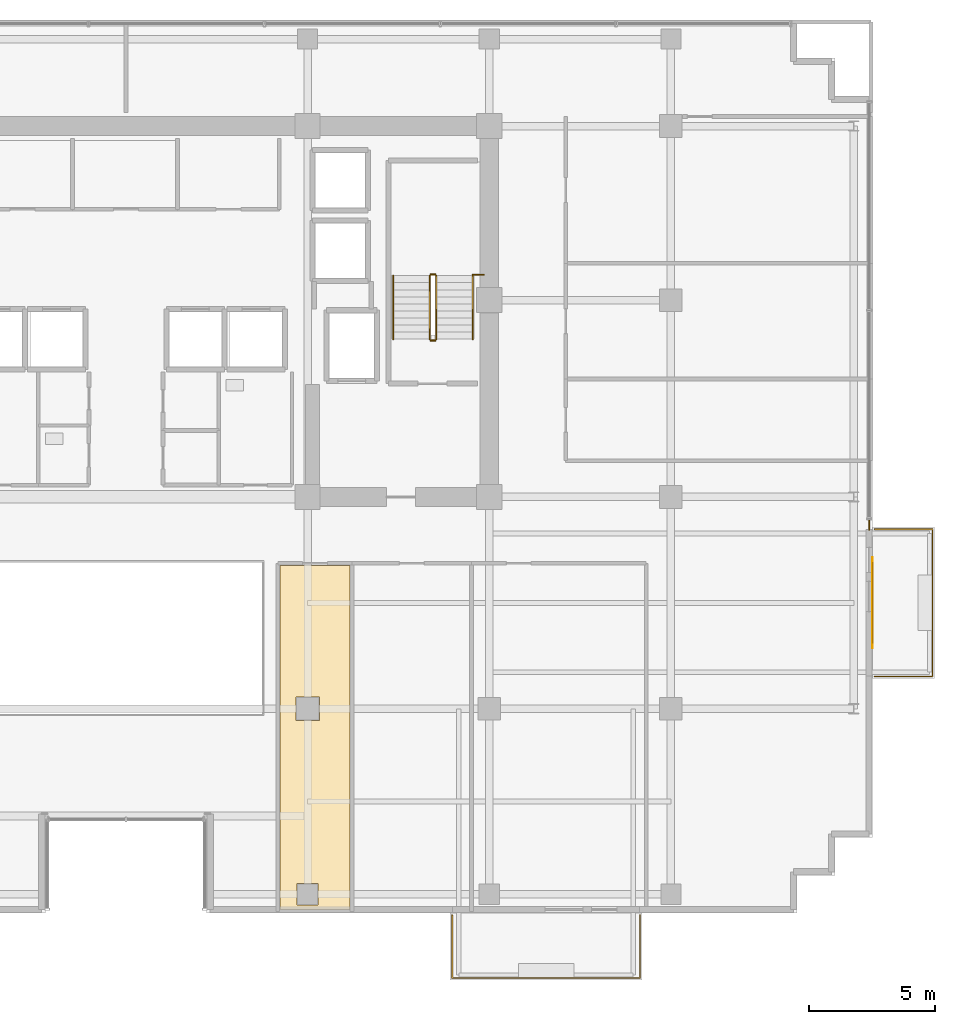
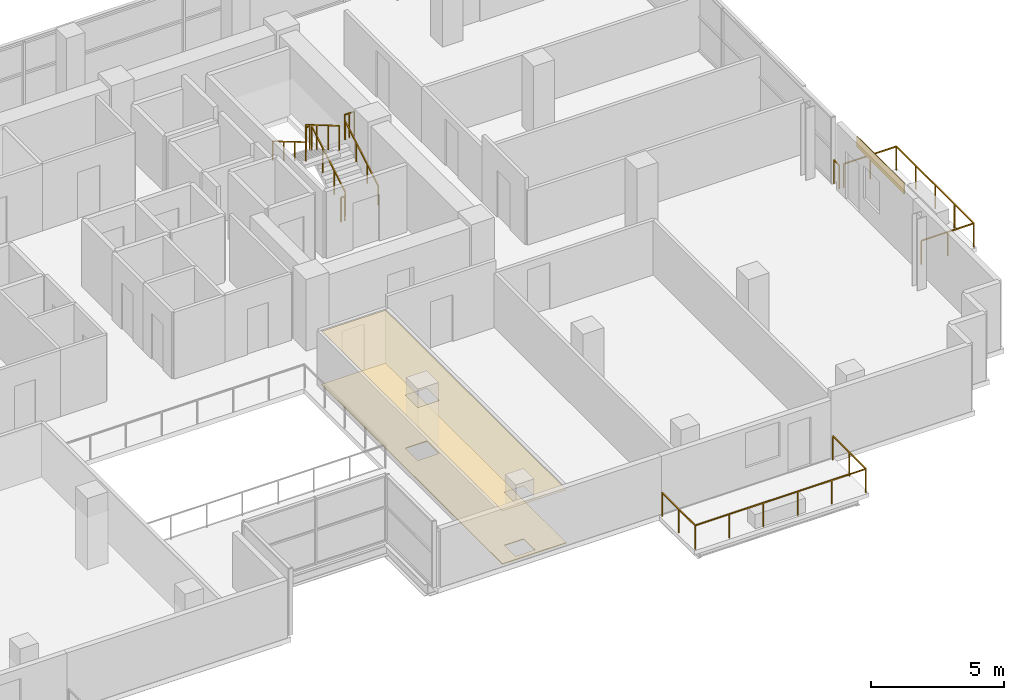
# One storey, part 23 of 24: 10 railings, 3 coverings, 1 shading device.
"""IFC4 building model written with IfcOpenShell, lengths in metres."""

from ifc_helpers import new_model, si_unit, direction, frame, origin, origin_2d, place, context, subcontext, project, spatial, polyline, rectangle, outline, extrude, source, transform, mapped, material, layer, layer_set, type_object, element, save


model = new_model("IFC4")

# Units and contexts
model_context = context("Model", 3, precision=1e-05, world=origin(), true_north=direction((0.0, 1.0)))
body_context = subcontext(model_context, "Body", "Model", "MODEL_VIEW")
ifc_project = project(units=[si_unit("LENGTHUNIT", "METRE"), si_unit("AREAUNIT", "SQUARE_METRE"), si_unit("VOLUMEUNIT", "CUBIC_METRE"), si_unit("PLANEANGLEUNIT", "RADIAN"), si_unit("MASSUNIT", "GRAM", prefix="KILO")], contexts=[model_context])

# Site, building, storey
site_placement = place(None, origin())
site = spatial("IfcSite", under=ifc_project, at=site_placement, CompositionType="ELEMENT")
building_placement = place(site_placement, origin())
building = spatial("IfcBuilding", under=site, at=building_placement, Name="Zarnakvel Exchange Tower", CompositionType="ELEMENT")
storey_placement = place(building_placement, frame((0.0, 0.0, 133.0)))
storey = spatial("IfcBuildingStorey", under=building, at=storey_placement, Name="L37", CompositionType="ELEMENT", Elevation=133.0)

# Coverings
ifc_material_1 = material(Name="Perforated Bronze Acoustic Metal Ceiling", Category="aluminium")
ifc_layer_1 = layer(ifc_material_1, 0.02001953125)
ifc_layer_set_1 = layer_set([ifc_layer_1], Name="Perforated Bronze Acoustic Metal Ceiling")
covering_type_1 = type_object("IfcCoveringType", Name="CLG-01", PredefinedType="CEILING", material=ifc_layer_set_1)
covering_1_placement = place(storey_placement, frame((0.0, 0.0, 2.455078125)))
element("IfcCovering", 1, at=covering_1_placement, inside=storey, type_object=covering_type_1, Name="L37 Suspended Acoustic Ceiling (Boardroom)", PredefinedType="CEILING", context=body_context, shape_type="SweptSolid", body=[
    extrude(outline(polyline([(6.10009765625, -3.909912109375), (8.88427734375, -3.909912109375), (8.88427734375, -17.550048828125), (6.10009765625, -17.550048828125), (6.10009765625, -3.909912109375)]), holes=[polyline([(6.72998046875, -10.070068359375), (7.669921875, -10.070068359375), (7.669921875, -9.1298828125), (6.72998046875, -9.1298828125), (6.72998046875, -10.070068359375)]), polyline([(7.6201171875, -17.3701171875), (7.6201171875, -16.530029296875), (6.780029296875, -16.530029296875), (6.780029296875, -17.3701171875), (7.6201171875, -17.3701171875)])]), origin(), (0.0, 0.0, 1.0), 0.02001953125),
])
ifc_material_2 = material(Name="Heavy-Duty Raised Access Floor Panel", Category="steel")
ifc_layer_2 = layer(ifc_material_2, 0.034912109375)
ifc_layer_set_2 = layer_set([ifc_layer_2], Name="Heavy-Duty Raised Access Floor Panel")
covering_type_2 = type_object("IfcCoveringType", Name="FLR-02", PredefinedType="FLOORING", material=ifc_layer_set_2)
covering_2_placement = place(storey_placement, origin())
element("IfcCovering", 2, at=covering_2_placement, inside=storey, type_object=covering_type_2, Name="L37 Floor Finish (Boardroom)", PredefinedType="FLOORING", context=body_context, shape_type="SweptSolid", body=[
    extrude(outline(polyline([(6.10009765625, -3.909912109375), (8.88427734375, -3.909912109375), (8.88427734375, -17.550048828125), (6.10009765625, -17.550048828125), (6.10009765625, -3.909912109375)]), holes=[polyline([(6.72998046875, -10.070068359375), (7.669921875, -10.070068359375), (7.669921875, -9.1298828125), (6.72998046875, -9.1298828125), (6.72998046875, -10.070068359375)]), polyline([(7.6201171875, -17.3701171875), (7.6201171875, -16.530029296875), (6.780029296875, -16.530029296875), (6.780029296875, -17.3701171875), (7.6201171875, -17.3701171875)])]), origin(), (0.0, 0.0, 1.0), 0.034912109375),
])

# Railings
ifc_material_3 = material(Name="Architectural Bronze Anodised Aluminium", Category="aluminium")
railing_type_1 = type_object("IfcRailingType", Name="GR-02", PredefinedType="GUARDRAIL", material=ifc_material_3)
railing_1_placement = place(storey_placement, frame((12.929931640625, -17.780029296875, -0.034912109375)))
element("IfcRailing", 3, at=railing_1_placement, inside=storey, type_object=railing_type_1, Name="L37 Balcony Guardrail BAL-L37-SE", PredefinedType="GUARDRAIL", context=body_context, shape_type="SweptSolid", body=[
    extrude(rectangle(XDim=0.048095703125, YDim=0.048095703125, at=origin_2d()), frame((0.0, 0.0, 1.09619140625), z_axis=(0.0, -1.0, 0.0), x_axis=(1.0, 0.0, 0.0)), (0.0, 0.0, 1.0), 2.489990234375),
    extrude(rectangle(XDim=0.048095703125, YDim=0.048095703125, at=origin_2d()), frame((0.0, -2.489990234375, 1.09619140625), z_axis=(1.0, 0.0, 0.0), x_axis=(0.0, 1.0, 0.0)), (0.0, 0.0, 1.0), 7.440185546875),
    extrude(rectangle(XDim=0.048095703125, YDim=0.048095703125, at=origin_2d()), frame((7.440185546875, -2.489990234375, 1.09619140625), z_axis=(0.0, 1.0, 0.0), x_axis=(-1.0, 0.0, 0.0)), (0.0, 0.0, 1.0), 2.489990234375),
    extrude(rectangle(XDim=0.0419921875, YDim=0.0419921875, at=origin_2d()), origin(), (0.0, 0.0, 1.0), 1.072021484375),
    extrude(rectangle(XDim=0.0419921875, YDim=0.0419921875, at=origin_2d()), frame((0.0, -1.2451171875, 0.0)), (0.0, 0.0, 1.0), 1.072021484375),
    extrude(rectangle(XDim=0.0419921875, YDim=0.0419921875, at=origin_2d()), frame((0.0, -2.489990234375, 0.0)), (0.0, 0.0, 1.0), 1.072021484375),
    extrude(rectangle(XDim=0.0419921875, YDim=0.0419921875, at=origin_2d()), frame((1.488037109375, -2.489990234375, 0.0)), (0.0, 0.0, 1.0), 1.072021484375),
    extrude(rectangle(XDim=0.0419921875, YDim=0.0419921875, at=origin_2d()), frame((2.97607421875, -2.489990234375, 0.0)), (0.0, 0.0, 1.0), 1.072021484375),
    extrude(rectangle(XDim=0.0419921875, YDim=0.0419921875, at=origin_2d()), frame((4.464111328125, -2.489990234375, 0.0)), (0.0, 0.0, 1.0), 1.072021484375),
    extrude(rectangle(XDim=0.0419921875, YDim=0.0419921875, at=origin_2d()), frame((5.9521484375, -2.489990234375, 0.0)), (0.0, 0.0, 1.0), 1.072021484375),
    extrude(rectangle(XDim=0.0419921875, YDim=0.0419921875, at=origin_2d()), frame((7.440185546875, -2.489990234375, 0.0)), (0.0, 0.0, 1.0), 1.072021484375),
    extrude(rectangle(XDim=0.0419921875, YDim=0.0419921875, at=origin_2d()), frame((7.440185546875, -1.2451171875, 0.0)), (0.0, 0.0, 1.0), 1.072021484375),
    extrude(rectangle(XDim=0.0419921875, YDim=0.0419921875, at=origin_2d()), frame((7.440185546875, 0.0, 0.0)), (0.0, 0.0, 1.0), 1.072021484375),
])
railing_2_placement = place(storey_placement, frame((29.679931640625, -8.320068359375, -0.034912109375)))
element("IfcRailing", 4, at=railing_2_placement, inside=storey, type_object=railing_type_1, Name="L37 Balcony Guardrail BAL-L37-E", PredefinedType="GUARDRAIL", context=body_context, shape_type="SweptSolid", body=[
    extrude(rectangle(XDim=0.048095703125, YDim=0.048095703125, at=origin_2d()), frame((0.0, 0.0, 1.09619140625), z_axis=(1.0, 0.0, 0.0), x_axis=(0.0, 1.0, 0.0)), (0.0, 0.0, 1.0), 2.2900390625),
    extrude(rectangle(XDim=0.048095703125, YDim=0.048095703125, at=origin_2d()), frame((2.2900390625, 0.0, 1.09619140625), z_axis=(0.0, 1.0, 0.0), x_axis=(-1.0, 0.0, 0.0)), (0.0, 0.0, 1.0), 5.840087890625),
    extrude(rectangle(XDim=0.048095703125, YDim=0.048095703125, at=origin_2d()), frame((2.2900390625, 5.840087890625, 1.09619140625), z_axis=(-1.0, 0.0, 0.0), x_axis=(0.0, -1.0, 0.0)), (0.0, 0.0, 1.0), 2.2900390625),
    extrude(rectangle(XDim=0.0419921875, YDim=0.0419921875, at=origin_2d()), origin(), (0.0, 0.0, 1.0), 1.072021484375),
    extrude(rectangle(XDim=0.0419921875, YDim=0.0419921875, at=origin_2d()), frame((1.14501953125, 0.0, 0.0)), (0.0, 0.0, 1.0), 1.072021484375),
    extrude(rectangle(XDim=0.0419921875, YDim=0.0419921875, at=origin_2d()), frame((2.2900390625, 0.0, 0.0)), (0.0, 0.0, 1.0), 1.072021484375),
    extrude(rectangle(XDim=0.0419921875, YDim=0.0419921875, at=origin_2d()), frame((2.2900390625, 1.4599609375, 0.0)), (0.0, 0.0, 1.0), 1.072021484375),
    extrude(rectangle(XDim=0.0419921875, YDim=0.0419921875, at=origin_2d()), frame((2.2900390625, 2.919921875, 0.0)), (0.0, 0.0, 1.0), 1.072021484375),
    extrude(rectangle(XDim=0.0419921875, YDim=0.0419921875, at=origin_2d()), frame((2.2900390625, 4.380126953125, 0.0)), (0.0, 0.0, 1.0), 1.072021484375),
    extrude(rectangle(XDim=0.0419921875, YDim=0.0419921875, at=origin_2d()), frame((2.2900390625, 5.840087890625, 0.0)), (0.0, 0.0, 1.0), 1.072021484375),
    extrude(rectangle(XDim=0.0419921875, YDim=0.0419921875, at=origin_2d()), frame((1.14501953125, 5.840087890625, 0.0)), (0.0, 0.0, 1.0), 1.072021484375),
    extrude(rectangle(XDim=0.0419921875, YDim=0.0419921875, at=origin_2d()), frame((0.0, 5.840087890625, 0.0)), (0.0, 0.0, 1.0), 1.072021484375),
])
railing_3_placement = place(storey_placement, frame((29.4599609375, -2.10009765625, 0.0)))
element("IfcRailing", 5, at=railing_3_placement, inside=storey, type_object=railing_type_1, Name="L37 Corner Spandrel Balustrade #9", PredefinedType="GUARDRAIL", context=body_context, shape_type="SweptSolid", body=[
    extrude(rectangle(XDim=0.048095703125, YDim=0.048095703125, at=origin_2d()), frame((0.0, 0.0, 1.09619140625), z_axis=(0.0, -1.0, 0.0), x_axis=(1.0, 0.0, 0.0)), (0.0, 0.0, 1.0), 0.39990234375),
    extrude(rectangle(XDim=0.0419921875, YDim=0.0419921875, at=origin_2d()), origin(), (0.0, 0.0, 1.0), 1.072021484375),
    extrude(rectangle(XDim=0.0419921875, YDim=0.0419921875, at=origin_2d()), frame((0.0, -0.39990234375, 0.0)), (0.0, 0.0, 1.0), 1.072021484375),
])
ifc_material_4 = material(Name="Brushed Stainless Steel", Category="steel")
railing_type_2 = type_object("IfcRailingType", Name="HR-01", PredefinedType="HANDRAIL", material=ifc_material_4)
railing_4_placement = place(storey_placement, frame((13.75, 5.050048828125, 0.1650390625)))
element("IfcRailing", 6, at=railing_4_placement, inside=storey, type_object=railing_type_2, Name="L37 ST-02 stair handrail 1", PredefinedType="HANDRAIL", context=body_context, shape_type="SweptSolid", body=[
    extrude(rectangle(XDim=0.048095703125, YDim=0.048095703125, at=origin_2d()), frame((0.0, 0.0, 0.8759765625), z_axis=(0.0, 0.861560626758, 0.507654692109), x_axis=(-1.0, 0.0, 0.0)), (0.0, 0.0, 1.0), 2.925048828125),
    extrude(rectangle(XDim=0.0419921875, YDim=0.0419921875, at=origin_2d()), origin(), (0.0, 0.0, 1.0), 0.851806640625),
    extrude(rectangle(XDim=0.0419921875, YDim=0.0419921875, at=origin_2d()), frame((0.0, 0.840087890625, 0.494873046875)), (0.0, 0.0, 1.0), 0.851806640625),
    extrude(rectangle(XDim=0.0419921875, YDim=0.0419921875, at=origin_2d()), frame((0.0, 1.679931640625, 0.989990234375)), (0.0, 0.0, 1.0), 0.851806640625),
    extrude(rectangle(XDim=0.0419921875, YDim=0.0419921875, at=origin_2d()), frame((0.0, 2.52001953125, 1.48486328125)), (0.0, 0.0, 1.0), 0.851806640625),
])
railing_5_placement = place(storey_placement, frame((10.590087890625, 7.570068359375, 1.81494140625)))
element("IfcRailing", 7, at=railing_5_placement, inside=storey, type_object=railing_type_2, Name="L37 ST-02 stair handrail 2", PredefinedType="HANDRAIL", context=body_context, shape_type="SweptSolid", body=[
    extrude(rectangle(XDim=0.048095703125, YDim=0.048095703125, at=origin_2d()), frame((0.0, 0.0, 0.8759765625), z_axis=(0.0, -0.86152411907, 0.507716645641), x_axis=(1.0, 0.0, 0.0)), (0.0, 0.0, 1.0), 2.925048828125),
    extrude(rectangle(XDim=0.0419921875, YDim=0.0419921875, at=origin_2d()), origin(), (0.0, 0.0, 1.0), 0.851806640625),
    extrude(rectangle(XDim=0.0419921875, YDim=0.0419921875, at=origin_2d()), frame((0.0, -0.840087890625, 0.4951171875)), (0.0, 0.0, 1.0), 0.851806640625),
    extrude(rectangle(XDim=0.0419921875, YDim=0.0419921875, at=origin_2d()), frame((0.0, -1.679931640625, 0.989990234375)), (0.0, 0.0, 1.0), 0.851806640625),
    extrude(rectangle(XDim=0.0419921875, YDim=0.0419921875, at=origin_2d()), frame((0.0, -2.52001953125, 1.485107421875)), (0.0, 0.0, 1.0), 0.851806640625),
])
railing_type_3 = type_object("IfcRailingType", Name="SG-01", PredefinedType="GUARDRAIL", material=ifc_material_3)
railing_6_placement = place(storey_placement, frame((12.300048828125, 5.050048828125, 0.1650390625)))
element("IfcRailing", 8, at=railing_6_placement, inside=storey, type_object=railing_type_3, Name="L37 ST-02 stair guard 1", PredefinedType="GUARDRAIL", context=body_context, shape_type="SweptSolid", body=[
    extrude(rectangle(XDim=0.048095703125, YDim=0.048095703125, at=origin_2d()), frame((0.0, 0.0, 1.1259765625), z_axis=(0.0, 0.861560626758, 0.507654692109), x_axis=(-1.0, 0.0, 0.0)), (0.0, 0.0, 1.0), 2.925048828125),
    extrude(rectangle(XDim=0.0419921875, YDim=0.0419921875, at=origin_2d()), origin(), (0.0, 0.0, 1.0), 1.101806640625),
    extrude(rectangle(XDim=0.0419921875, YDim=0.0419921875, at=origin_2d()), frame((0.0, 0.840087890625, 0.494873046875)), (0.0, 0.0, 1.0), 1.101806640625),
    extrude(rectangle(XDim=0.0419921875, YDim=0.0419921875, at=origin_2d()), frame((0.0, 1.679931640625, 0.989990234375)), (0.0, 0.0, 1.0), 1.101806640625),
    extrude(rectangle(XDim=0.0419921875, YDim=0.0419921875, at=origin_2d()), frame((0.0, 2.52001953125, 1.48486328125)), (0.0, 0.0, 1.0), 1.101806640625),
])
railing_7_placement = place(storey_placement, frame((12.25, 7.6201171875, 1.64990234375)))
element("IfcRailing", 9, at=railing_7_placement, inside=storey, type_object=railing_type_3, Name="L37 ST-02 stair guard 2", PredefinedType="GUARDRAIL", context=body_context, shape_type="SweptSolid", body=[
    extrude(rectangle(XDim=0.048095703125, YDim=0.048095703125, at=origin_2d()), frame((0.0, 0.0, 1.1259765625), z_axis=(-1.0, 0.0, 0.0), x_axis=(0.0, -1.0, 0.0)), (0.0, 0.0, 1.0), 0.159912109375),
    extrude(rectangle(XDim=0.0419921875, YDim=0.0419921875, at=origin_2d()), origin(), (0.0, 0.0, 1.0), 1.101806640625),
    extrude(rectangle(XDim=0.0419921875, YDim=0.0419921875, at=origin_2d()), frame((-0.159912109375, 0.0, 0.0)), (0.0, 0.0, 1.0), 1.101806640625),
])
railing_8_placement = place(storey_placement, frame((12.0400390625, 7.570068359375, 1.81494140625)))
element("IfcRailing", 10, at=railing_8_placement, inside=storey, type_object=railing_type_3, Name="L37 ST-02 stair guard 3", PredefinedType="GUARDRAIL", context=body_context, shape_type="SweptSolid", body=[
    extrude(rectangle(XDim=0.048095703125, YDim=0.048095703125, at=origin_2d()), frame((0.0, 0.0, 1.1259765625), z_axis=(0.0, -0.86152411907, 0.507716645641), x_axis=(1.0, 0.0, 0.0)), (0.0, 0.0, 1.0), 2.925048828125),
    extrude(rectangle(XDim=0.0419921875, YDim=0.0419921875, at=origin_2d()), origin(), (0.0, 0.0, 1.0), 1.101806640625),
    extrude(rectangle(XDim=0.0419921875, YDim=0.0419921875, at=origin_2d()), frame((0.0, -0.840087890625, 0.4951171875)), (0.0, 0.0, 1.0), 1.101806640625),
    extrude(rectangle(XDim=0.0419921875, YDim=0.0419921875, at=origin_2d()), frame((0.0, -1.679931640625, 0.989990234375)), (0.0, 0.0, 1.0), 1.101806640625),
    extrude(rectangle(XDim=0.0419921875, YDim=0.0419921875, at=origin_2d()), frame((0.0, -2.52001953125, 1.485107421875)), (0.0, 0.0, 1.0), 1.101806640625),
])
railing_9_placement = place(storey_placement, frame((12.25, 5.0, 0.0)))
element("IfcRailing", 11, at=railing_9_placement, inside=storey, type_object=railing_type_3, Name="L37 ST-02 stair guard 4", PredefinedType="GUARDRAIL", context=body_context, shape_type="SweptSolid", body=[
    extrude(rectangle(XDim=0.048095703125, YDim=0.048095703125, at=origin_2d()), frame((0.0, 0.0, 1.1259765625), z_axis=(-1.0, 0.0, 0.0), x_axis=(0.0, -1.0, 0.0)), (0.0, 0.0, 1.0), 0.159912109375),
    extrude(rectangle(XDim=0.0419921875, YDim=0.0419921875, at=origin_2d()), origin(), (0.0, 0.0, 1.0), 1.101806640625),
    extrude(rectangle(XDim=0.0419921875, YDim=0.0419921875, at=origin_2d()), frame((-0.159912109375, 0.0, 0.0)), (0.0, 0.0, 1.0), 1.101806640625),
])
railing_10_placement = place(storey_placement, frame((13.75, 7.610107421875, 1.64990234375)))
element("IfcRailing", 12, at=railing_10_placement, inside=storey, type_object=railing_type_3, Name="L37 ST-02 Landing Slot Guardrail", PredefinedType="GUARDRAIL", context=body_context, shape_type="SweptSolid", body=[
    extrude(rectangle(XDim=0.048095703125, YDim=0.048095703125, at=origin_2d()), frame((0.0, 0.0, 1.1259765625), z_axis=(1.0, 0.0, 0.0), x_axis=(0.0, 1.0, 0.0)), (0.0, 0.0, 1.0), 0.429931640625),
    extrude(rectangle(XDim=0.0419921875, YDim=0.0419921875, at=origin_2d()), origin(), (0.0, 0.0, 1.0), 1.101806640625),
    extrude(rectangle(XDim=0.0419921875, YDim=0.0419921875, at=origin_2d()), frame((0.21484375, 0.0, 0.0)), (0.0, 0.0, 1.0), 1.101806640625),
    extrude(rectangle(XDim=0.0419921875, YDim=0.0419921875, at=origin_2d()), frame((0.429931640625, 0.0, 0.0)), (0.0, 0.0, 1.0), 1.101806640625),
])

# Covering
ifc_material_5 = material(Name="Warm Sandstone Terracotta Spandrel Tile", Category="masonry")
ifc_layer_3 = layer(ifc_material_5, 0.031982421875)
ifc_layer_set_3 = layer_set([ifc_layer_3], Name="Warm Sandstone Terracotta Spandrel Tile")
covering_type_3 = type_object("IfcCoveringType", Name="CL-02", PredefinedType="CLADDING", material=ifc_layer_set_3)
shared_shape_1 = source(origin(), body_context, "Body", "SweptSolid", [
    extrude(rectangle(XDim=3.60009765625, YDim=0.031982421875, at=origin_2d()), origin(), (0.0, 0.0, 1.0), 0.4951171875),
])
covering_3_placement = place(storey_placement, frame((29.593994140625, -5.39990234375, 2.56005859375), z_axis=(0.0, 0.0, 1.0), x_axis=(0.0, -1.0, 0.0)))
element("IfcCovering", 13, at=covering_3_placement, inside=storey, type_object=covering_type_3, Name="L37 Ceramic Spandrel Tilework CL-02", PredefinedType="CLADDING", context=body_context, shape_type="MappedRepresentation", body=[
    mapped(shared_shape_1, transform((0.0, 0.0, 0.0), x_axis=(1.0, 0.0, 0.0), y_axis=(0.0, 1.0, 0.0), z_axis=(0.0, 0.0, 1.0), scale=1.0)),
])

# Shading device
ifc_material_6 = material(Name="Perforated Architectural Bronze Screen", Category="aluminium")
ifc_layer_4 = layer(ifc_material_6, 0.044921875)
ifc_layer_set_4 = layer_set([ifc_layer_4], Name="Perforated Architectural Bronze Screen")
shading_device_type = type_object("IfcShadingDeviceType", Name="SS-01", PredefinedType="JALOUSIE", material=ifc_layer_set_4)
shared_shape_2 = source(origin(), body_context, "Body", "SweptSolid", [
    extrude(rectangle(XDim=3.199951171875, YDim=0.044921875, at=origin_2d()), origin(), (0.0, 0.0, 1.0), 0.4951171875),
])
shading_device_placement = place(storey_placement, frame((29.6005859375, -5.39990234375, 2.56005859375), z_axis=(0.0, 0.0, 1.0), x_axis=(0.0, -1.0, 0.0)))
element("IfcShadingDevice", 14, at=shading_device_placement, inside=storey, type_object=shading_device_type, Name="L37 Bronze Solar Shading Screen SS-01", PredefinedType="JALOUSIE", context=body_context, shape_type="MappedRepresentation", body=[
    mapped(shared_shape_2, transform((0.0, 0.0, 0.0), x_axis=(1.0, 0.0, 0.0), y_axis=(0.0, 1.0, 0.0), z_axis=(0.0, 0.0, 1.0), scale=1.0)),
])

save(model, "model.ifc")
